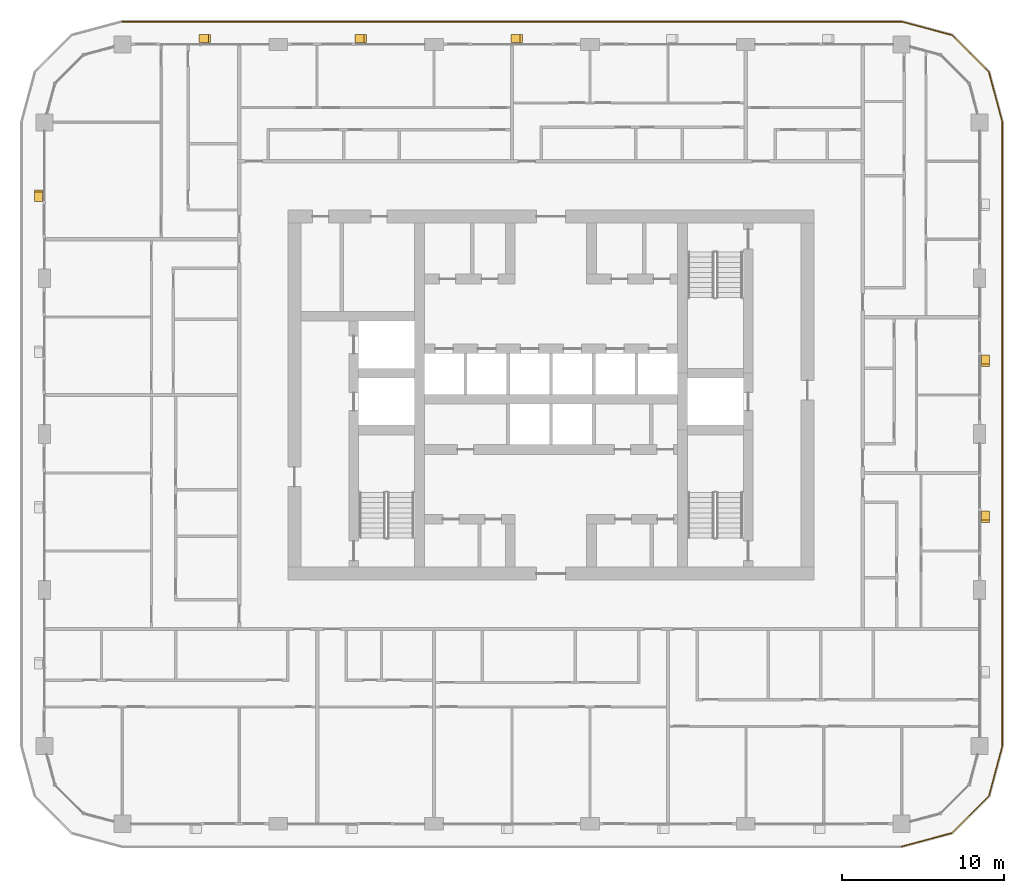
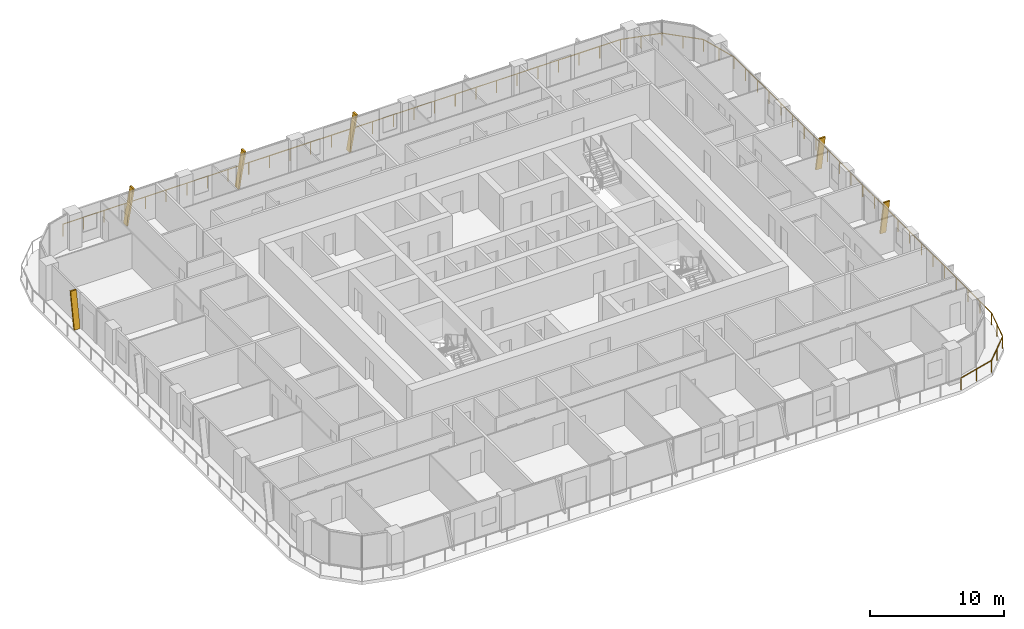
# One storey, part 21 of 22: 6 shading devices, 1 railing.
"""IFC4 building model written with IfcOpenShell, lengths in metres."""

from ifc_helpers import new_model, si_unit, direction, frame, origin, origin_2d, place, context, subcontext, project, spatial, polyline, circle, outline, extrude, material, type_object, element, save


model = new_model("IFC4")

# Units and contexts
model_context = context("Model", 3, precision=1e-05, world=origin(), true_north=direction((0.0, 1.0)))
body_context = subcontext(model_context, "Body", "Model", "MODEL_VIEW")
ifc_project = project(units=[si_unit("LENGTHUNIT", "METRE"), si_unit("AREAUNIT", "SQUARE_METRE"), si_unit("VOLUMEUNIT", "CUBIC_METRE"), si_unit("PLANEANGLEUNIT", "RADIAN"), si_unit("MASSUNIT", "GRAM", prefix="KILO")], contexts=[model_context])

# Site, building, storey
site_placement = place(None, origin())
site = spatial("IfcSite", under=ifc_project, at=site_placement, CompositionType="ELEMENT")
building_placement = place(site_placement, origin())
building = spatial("IfcBuilding", under=site, at=building_placement, Name="Madar Terraces", CompositionType="ELEMENT")
storey_placement = place(building_placement, frame((0.0, 0.0, 159.5)))
storey = spatial("IfcBuildingStorey", under=building, at=storey_placement, Name="L41", CompositionType="ELEMENT", Elevation=159.5)

# Railing
ifc_material_1 = material(Name="Glass, safety glazing, with stainless steel posts", Category="steel")
railing_type = type_object("IfcRailingType", Name="Balcony glass guard 1100", PredefinedType="GUARDRAIL", material=ifc_material_1)
railing_placement = place(storey_placement, frame((52.800048828125, -1.39990234375, 0.0)))
element("IfcRailing", 1, at=railing_placement, inside=storey, type_object=railing_type, Name="Balcony guard", PredefinedType="GUARDRAIL", context=body_context, shape_type="SweptSolid", body=[
    extrude(circle(Radius=0.02392578125, at=origin_2d()), frame((0.0, 0.0, 1.076171875), z_axis=(0.965928696102, 0.258808334578, 0.0), x_axis=(-0.258808334578, 0.965928696102, 0.0)), (0.0, 0.0, 1.0), 3.209228515625),
    extrude(circle(Radius=0.02392578125, at=origin_2d()), frame((3.099853515625, 0.83056640625, 1.076171875), z_axis=(0.707144815061, 0.707068745266, 0.0), x_axis=(-0.707068745266, 0.707144815061, 0.0)), (0.0, 0.0, 1.0), 3.20947265625),
    extrude(circle(Radius=0.02392578125, at=origin_2d()), frame((5.369384765625, 3.099853515625, 1.076171875), z_axis=(0.258789317819, 0.9659337912, 0.0), x_axis=(-0.9659337912, 0.258789317819, 0.0)), (0.0, 0.0, 1.0), 3.20947265625),
    extrude(circle(Radius=0.02392578125, at=origin_2d()), frame((6.199951171875, 6.199951171875, 1.076171875), z_axis=(0.0, 1.0, 0.0), x_axis=(-1.0, 0.0, 0.0)), (0.0, 0.0, 1.0), 38.39990234375),
    extrude(circle(Radius=0.02392578125, at=origin_2d()), frame((6.199951171875, 44.599853515625, 1.076171875), z_axis=(-0.258789317819, 0.9659337912, 0.0), x_axis=(-0.9659337912, -0.258789317819, 0.0)), (0.0, 0.0, 1.0), 3.20947265625),
    extrude(circle(Radius=0.02392578125, at=origin_2d()), frame((5.369384765625, 47.699951171875, 1.076171875), z_axis=(-0.707144815061, 0.707068745266, 0.0), x_axis=(-0.707068745266, -0.707144815061, 0.0)), (0.0, 0.0, 1.0), 3.20947265625),
    extrude(circle(Radius=0.02392578125, at=origin_2d()), frame((3.099853515625, 49.96923828125, 1.076171875), z_axis=(-0.965928696102, 0.258808334578, 0.0), x_axis=(-0.258808334578, -0.965928696102, 0.0)), (0.0, 0.0, 1.0), 3.209228515625),
    extrude(circle(Radius=0.02392578125, at=origin_2d()), frame((0.0, 50.7998046875, 1.076171875), z_axis=(-1.0, 0.0, 0.0), x_axis=(0.0, -1.0, 0.0)), (0.0, 0.0, 1.0), 48.0),
    extrude(circle(Radius=0.02099609375, at=origin_2d()), origin(), (0.0, 0.0, 1.0), 1.052001953125),
    extrude(circle(Radius=0.02099609375, at=origin_2d()), frame((1.5498046875, 0.415283203125, 0.0)), (0.0, 0.0, 1.0), 1.052001953125),
    extrude(circle(Radius=0.02099609375, at=origin_2d()), frame((3.099853515625, 0.83056640625, 0.0)), (0.0, 0.0, 1.0), 1.052001953125),
    extrude(circle(Radius=0.02099609375, at=origin_2d()), frame((4.234619140625, 1.96533203125, 0.0)), (0.0, 0.0, 1.0), 1.052001953125),
    extrude(circle(Radius=0.02099609375, at=origin_2d()), frame((5.369384765625, 3.099853515625, 0.0)), (0.0, 0.0, 1.0), 1.052001953125),
    extrude(circle(Radius=0.02099609375, at=origin_2d()), frame((5.78466796875, 4.64990234375, 0.0)), (0.0, 0.0, 1.0), 1.052001953125),
    extrude(circle(Radius=0.02099609375, at=origin_2d()), frame((6.199951171875, 6.199951171875, 0.0)), (0.0, 0.0, 1.0), 1.052001953125),
    extrude(circle(Radius=0.02099609375, at=origin_2d()), frame((6.199951171875, 7.9453125, 0.0)), (0.0, 0.0, 1.0), 1.052001953125),
    extrude(circle(Radius=0.02099609375, at=origin_2d()), frame((6.199951171875, 9.69091796875, 0.0)), (0.0, 0.0, 1.0), 1.052001953125),
    extrude(circle(Radius=0.02099609375, at=origin_2d()), frame((6.199951171875, 11.436279296875, 0.0)), (0.0, 0.0, 1.0), 1.052001953125),
    extrude(circle(Radius=0.02099609375, at=origin_2d()), frame((6.199951171875, 13.181640625, 0.0)), (0.0, 0.0, 1.0), 1.052001953125),
    extrude(circle(Radius=0.02099609375, at=origin_2d()), frame((6.199951171875, 14.92724609375, 0.0)), (0.0, 0.0, 1.0), 1.052001953125),
    extrude(circle(Radius=0.02099609375, at=origin_2d()), frame((6.199951171875, 16.672607421875, 0.0)), (0.0, 0.0, 1.0), 1.052001953125),
    extrude(circle(Radius=0.02099609375, at=origin_2d()), frame((6.199951171875, 18.418212890625, 0.0)), (0.0, 0.0, 1.0), 1.052001953125),
    extrude(circle(Radius=0.02099609375, at=origin_2d()), frame((6.199951171875, 20.16357421875, 0.0)), (0.0, 0.0, 1.0), 1.052001953125),
    extrude(circle(Radius=0.02099609375, at=origin_2d()), frame((6.199951171875, 21.908935546875, 0.0)), (0.0, 0.0, 1.0), 1.052001953125),
    extrude(circle(Radius=0.02099609375, at=origin_2d()), frame((6.199951171875, 23.654541015625, 0.0)), (0.0, 0.0, 1.0), 1.052001953125),
    extrude(circle(Radius=0.02099609375, at=origin_2d()), frame((6.199951171875, 25.39990234375, 0.0)), (0.0, 0.0, 1.0), 1.052001953125),
    extrude(circle(Radius=0.02099609375, at=origin_2d()), frame((6.199951171875, 27.145263671875, 0.0)), (0.0, 0.0, 1.0), 1.052001953125),
    extrude(circle(Radius=0.02099609375, at=origin_2d()), frame((6.199951171875, 28.890869140625, 0.0)), (0.0, 0.0, 1.0), 1.052001953125),
    extrude(circle(Radius=0.02099609375, at=origin_2d()), frame((6.199951171875, 30.63623046875, 0.0)), (0.0, 0.0, 1.0), 1.052001953125),
    extrude(circle(Radius=0.02099609375, at=origin_2d()), frame((6.199951171875, 32.381591796875, 0.0)), (0.0, 0.0, 1.0), 1.052001953125),
    extrude(circle(Radius=0.02099609375, at=origin_2d()), frame((6.199951171875, 34.127197265625, 0.0)), (0.0, 0.0, 1.0), 1.052001953125),
    extrude(circle(Radius=0.02099609375, at=origin_2d()), frame((6.199951171875, 35.87255859375, 0.0)), (0.0, 0.0, 1.0), 1.052001953125),
    extrude(circle(Radius=0.02099609375, at=origin_2d()), frame((6.199951171875, 37.6181640625, 0.0)), (0.0, 0.0, 1.0), 1.052001953125),
    extrude(circle(Radius=0.02099609375, at=origin_2d()), frame((6.199951171875, 39.363525390625, 0.0)), (0.0, 0.0, 1.0), 1.052001953125),
    extrude(circle(Radius=0.02099609375, at=origin_2d()), frame((6.199951171875, 41.10888671875, 0.0)), (0.0, 0.0, 1.0), 1.052001953125),
    extrude(circle(Radius=0.02099609375, at=origin_2d()), frame((6.199951171875, 42.8544921875, 0.0)), (0.0, 0.0, 1.0), 1.052001953125),
    extrude(circle(Radius=0.02099609375, at=origin_2d()), frame((6.199951171875, 44.599853515625, 0.0)), (0.0, 0.0, 1.0), 1.052001953125),
    extrude(circle(Radius=0.02099609375, at=origin_2d()), frame((5.78466796875, 46.14990234375, 0.0)), (0.0, 0.0, 1.0), 1.052001953125),
    extrude(circle(Radius=0.02099609375, at=origin_2d()), frame((5.369384765625, 47.699951171875, 0.0)), (0.0, 0.0, 1.0), 1.052001953125),
    extrude(circle(Radius=0.02099609375, at=origin_2d()), frame((4.234619140625, 48.83447265625, 0.0)), (0.0, 0.0, 1.0), 1.052001953125),
    extrude(circle(Radius=0.02099609375, at=origin_2d()), frame((3.099853515625, 49.96923828125, 0.0)), (0.0, 0.0, 1.0), 1.052001953125),
    extrude(circle(Radius=0.02099609375, at=origin_2d()), frame((1.5498046875, 50.384521484375, 0.0)), (0.0, 0.0, 1.0), 1.052001953125),
    extrude(circle(Radius=0.02099609375, at=origin_2d()), frame((0.0, 50.7998046875, 0.0)), (0.0, 0.0, 1.0), 1.052001953125),
    extrude(circle(Radius=0.02099609375, at=origin_2d()), frame((-1.77783203125, 50.7998046875, 0.0)), (0.0, 0.0, 1.0), 1.052001953125),
    extrude(circle(Radius=0.02099609375, at=origin_2d()), frame((-3.5556640625, 50.7998046875, 0.0)), (0.0, 0.0, 1.0), 1.052001953125),
    extrude(circle(Radius=0.02099609375, at=origin_2d()), frame((-5.333251953125, 50.7998046875, 0.0)), (0.0, 0.0, 1.0), 1.052001953125),
    extrude(circle(Radius=0.02099609375, at=origin_2d()), frame((-7.111083984375, 50.7998046875, 0.0)), (0.0, 0.0, 1.0), 1.052001953125),
    extrude(circle(Radius=0.02099609375, at=origin_2d()), frame((-8.888916015625, 50.7998046875, 0.0)), (0.0, 0.0, 1.0), 1.052001953125),
    extrude(circle(Radius=0.02099609375, at=origin_2d()), frame((-10.666748046875, 50.7998046875, 0.0)), (0.0, 0.0, 1.0), 1.052001953125),
    extrude(circle(Radius=0.02099609375, at=origin_2d()), frame((-12.4443359375, 50.7998046875, 0.0)), (0.0, 0.0, 1.0), 1.052001953125),
    extrude(circle(Radius=0.02099609375, at=origin_2d()), frame((-14.22216796875, 50.7998046875, 0.0)), (0.0, 0.0, 1.0), 1.052001953125),
    extrude(circle(Radius=0.02099609375, at=origin_2d()), frame((-16.0, 50.7998046875, 0.0)), (0.0, 0.0, 1.0), 1.052001953125),
    extrude(circle(Radius=0.02099609375, at=origin_2d()), frame((-17.77783203125, 50.7998046875, 0.0)), (0.0, 0.0, 1.0), 1.052001953125),
    extrude(circle(Radius=0.02099609375, at=origin_2d()), frame((-19.5556640625, 50.7998046875, 0.0)), (0.0, 0.0, 1.0), 1.052001953125),
    extrude(circle(Radius=0.02099609375, at=origin_2d()), frame((-21.333251953125, 50.7998046875, 0.0)), (0.0, 0.0, 1.0), 1.052001953125),
    extrude(circle(Radius=0.02099609375, at=origin_2d()), frame((-23.111083984375, 50.7998046875, 0.0)), (0.0, 0.0, 1.0), 1.052001953125),
    extrude(circle(Radius=0.02099609375, at=origin_2d()), frame((-24.888916015625, 50.7998046875, 0.0)), (0.0, 0.0, 1.0), 1.052001953125),
    extrude(circle(Radius=0.02099609375, at=origin_2d()), frame((-26.666748046875, 50.7998046875, 0.0)), (0.0, 0.0, 1.0), 1.052001953125),
    extrude(circle(Radius=0.02099609375, at=origin_2d()), frame((-28.4443359375, 50.7998046875, 0.0)), (0.0, 0.0, 1.0), 1.052001953125),
    extrude(circle(Radius=0.02099609375, at=origin_2d()), frame((-30.22216796875, 50.7998046875, 0.0)), (0.0, 0.0, 1.0), 1.052001953125),
    extrude(circle(Radius=0.02099609375, at=origin_2d()), frame((-32.0, 50.7998046875, 0.0)), (0.0, 0.0, 1.0), 1.052001953125),
    extrude(circle(Radius=0.02099609375, at=origin_2d()), frame((-33.77783203125, 50.7998046875, 0.0)), (0.0, 0.0, 1.0), 1.052001953125),
    extrude(circle(Radius=0.02099609375, at=origin_2d()), frame((-35.5556640625, 50.7998046875, 0.0)), (0.0, 0.0, 1.0), 1.052001953125),
    extrude(circle(Radius=0.02099609375, at=origin_2d()), frame((-37.333251953125, 50.7998046875, 0.0)), (0.0, 0.0, 1.0), 1.052001953125),
    extrude(circle(Radius=0.02099609375, at=origin_2d()), frame((-39.111083984375, 50.7998046875, 0.0)), (0.0, 0.0, 1.0), 1.052001953125),
    extrude(circle(Radius=0.02099609375, at=origin_2d()), frame((-40.888916015625, 50.7998046875, 0.0)), (0.0, 0.0, 1.0), 1.052001953125),
    extrude(circle(Radius=0.02099609375, at=origin_2d()), frame((-42.666748046875, 50.7998046875, 0.0)), (0.0, 0.0, 1.0), 1.052001953125),
    extrude(circle(Radius=0.02099609375, at=origin_2d()), frame((-44.4443359375, 50.7998046875, 0.0)), (0.0, 0.0, 1.0), 1.052001953125),
    extrude(circle(Radius=0.02099609375, at=origin_2d()), frame((-46.22216796875, 50.7998046875, 0.0)), (0.0, 0.0, 1.0), 1.052001953125),
    extrude(circle(Radius=0.02099609375, at=origin_2d()), frame((-48.0, 50.7998046875, 0.0)), (0.0, 0.0, 1.0), 1.052001953125),
])

# Shading devices
ifc_material_2 = material(Name="Aluminium, black anodised", Category="aluminium")
shading_device_type = type_object("IfcShadingDeviceType", Name="Facade fin blade 140 x 500", PredefinedType="USERDEFINED", material=ifc_material_2)
for number, where, z_axis, x_axis, name in (
    (2, (57.949951171875, 19.1298828125, 0.0), (0.0, 0.0, 1.0), (0.0, 1.0, 0.0), "FIN L41 E2"),
    (3, (57.949951171875, 28.72998046875, 0.0), (0.0, 0.0, 1.0), (0.0, 1.0, 0.0), "FIN L41 E3"),
    (4, (28.8701171875, 48.35009765625, 0.0), (0.0, 0.0, 1.0), (-1.0, 0.0, 0.0), "FIN L41 N3"),
    (5, (19.27001953125, 48.35009765625, 0.0), (0.0, 0.0, 1.0), (-1.0, 0.0, 0.0), "FIN L41 N4"),
):
    element("IfcShadingDevice", number, at=place(storey_placement, frame(where, z_axis=z_axis, x_axis=x_axis)), inside=storey, type_object=shading_device_type, Name=name, ObjectType="FIN", PredefinedType="USERDEFINED", context=body_context, shape_type="SweptSolid", body=[
        extrude(outline(polyline([(0.0, 0.0), (0.14013671875, 0.0), (-0.42431640625, 3.199951171875), (-0.564208984375, 3.199951171875), (0.0, 0.0)])), frame((0.0, 0.25, 0.0), z_axis=(0.0, -1.0, 0.0), x_axis=(1.0, 0.0, 0.0)), (0.0, 0.0, 1.0), 0.5),
    ])
for number, where, z_axis, x_axis, name in (
    (6, (9.669921875, 48.35009765625, 0.0), (0.0, 0.0, 1.0), (-1.0, 0.0, 0.0), "FIN L41 N5"),
    (7, (-0.35009765625, 38.469970703125, 0.0), (0.0, 0.0, 1.0), (0.0, -1.0, 0.0), "FIN L41 W1"),
):
    element("IfcShadingDevice", number, at=place(storey_placement, frame(where, z_axis=z_axis, x_axis=x_axis)), inside=storey, type_object=shading_device_type, Name=name, ObjectType="FIN", PredefinedType="USERDEFINED", context=body_context, shape_type="SweptSolid", body=[
        extrude(outline(polyline([(0.0, 0.0), (0.139892578125, 0.0), (-0.42431640625, 3.199951171875), (-0.564208984375, 3.199951171875), (0.0, 0.0)])), frame((0.0, 0.25, 0.0), z_axis=(0.0, -1.0, 0.0), x_axis=(1.0, 0.0, 0.0)), (0.0, 0.0, 1.0), 0.5),
    ])

save(model, "model.ifc")
